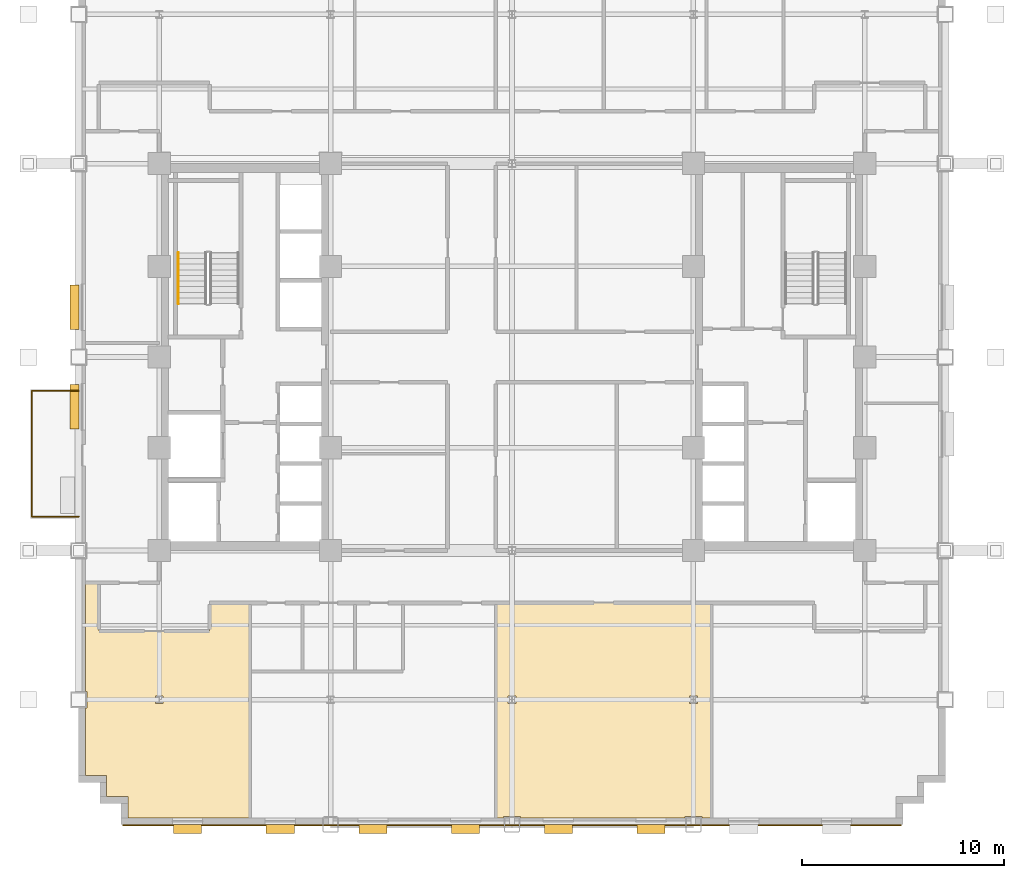
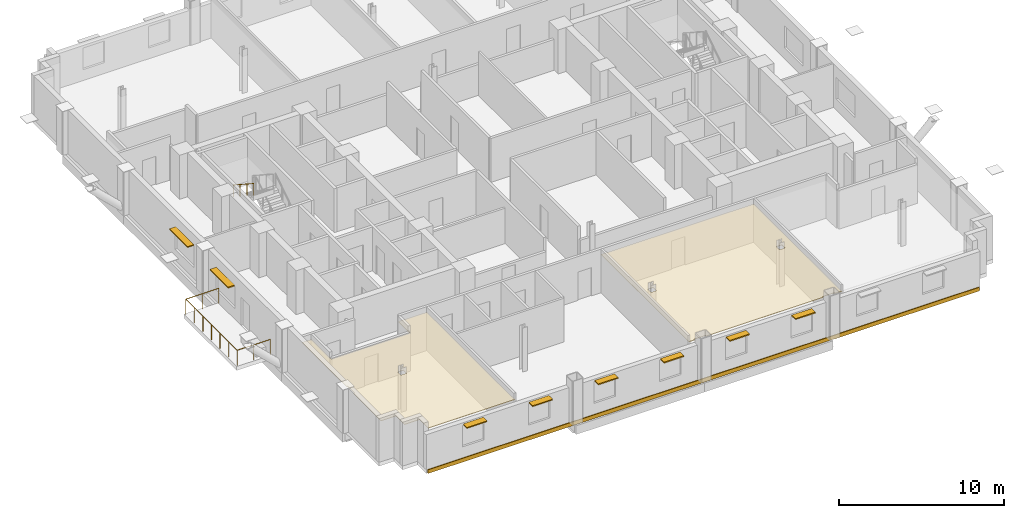
# One storey, part 10 of 13: 8 shading devices, 3 coverings, 2 railings.
"""IFC4 building model written with IfcOpenShell, lengths in metres."""

from ifc_helpers import new_model, si_unit, direction, frame, origin, origin_2d, place, context, subcontext, project, spatial, polyline, rectangle, circle, outline, extrude, source, transform, mapped, material, layer, layer_set, type_object, type_shapes, element, save


model = new_model("IFC4")

# Units and contexts
model_context = context("Model", 3, precision=1e-05, world=origin(), true_north=direction((0.0, 1.0)))
body_context = subcontext(model_context, "Body", "Model", "MODEL_VIEW")
ifc_project = project(units=[si_unit("LENGTHUNIT", "METRE"), si_unit("AREAUNIT", "SQUARE_METRE"), si_unit("VOLUMEUNIT", "CUBIC_METRE"), si_unit("PLANEANGLEUNIT", "RADIAN"), si_unit("MASSUNIT", "GRAM", prefix="KILO")], contexts=[model_context])

# Site, building, storey
site_placement = place(None, origin())
site = spatial("IfcSite", under=ifc_project, at=site_placement, CompositionType="ELEMENT")
building_placement = place(site_placement, origin())
building = spatial("IfcBuilding", under=site, at=building_placement, Name="Nuvemarco Arch Tower", CompositionType="ELEMENT")
storey_placement = place(building_placement, frame((0.0, 0.0, 82.35009765625)))
storey = spatial("IfcBuildingStorey", under=building, at=storey_placement, Name="L21", CompositionType="ELEMENT", Elevation=82.35009765625)

# Coverings
ifc_material_1 = material(Name="Mineral acoustic ceiling tile")
ifc_layer_1 = layer(ifc_material_1, 0.0400390625, Name="COV-ACOUSTIC-CLG")
ifc_layer_set_1 = layer_set([ifc_layer_1], Name="Mineral acoustic ceiling tile")
covering_type_1 = type_object("IfcCoveringType", Name="COV-ACOUSTIC-CLG", PredefinedType="CEILING", material=ifc_layer_set_1)
covering_1_placement = place(storey_placement, frame((0.0, 0.0, 2.72998046875)))
element("IfcCovering", 1, at=covering_1_placement, inside=storey, type_object=covering_type_1, Name="L21 suspended acoustic ceiling 2", PredefinedType="CEILING", context=body_context, shape_type="SweptSolid", body=[
    extrude(outline(polyline([(9.4150390625, -22.860107421875), (9.4150390625, -22.784912109375), (8.5849609375, -22.784912109375), (8.5849609375, -22.860107421875), (0.4150390625, -22.860107421875), (0.4150390625, -22.784912109375), (-0.4150390625, -22.784912109375), (-0.4150390625, -22.860107421875), (-0.800048828125, -22.860107421875), (-0.800048828125, -12.199951171875), (9.89990234375, -12.199951171875), (9.89990234375, -22.860107421875), (9.4150390625, -22.860107421875)]), holes=[polyline([(0.195068359375, -17.195068359375), (0.195068359375, -16.804931640625), (-0.195068359375, -16.804931640625), (-0.195068359375, -17.195068359375), (0.195068359375, -17.195068359375)]), polyline([(9.195068359375, -17.195068359375), (9.195068359375, -16.804931640625), (8.804931640625, -16.804931640625), (8.804931640625, -17.195068359375), (9.195068359375, -17.195068359375)])]), origin(), (0.0, 0.0, 1.0), 0.0400390625),
])
covering_2_placement = place(storey_placement, frame((0.0, 0.0, 2.72998046875)))
element("IfcCovering", 2, at=covering_2_placement, inside=storey, type_object=covering_type_1, Name="L21 suspended acoustic ceiling 4", PredefinedType="CEILING", context=body_context, shape_type="SweptSolid", body=[
    extrude(outline(polyline([(-21.159912109375, -20.760009765625), (-21.159912109375, -17.4150390625), (-21.0849609375, -17.4150390625), (-21.0849609375, -16.5849609375), (-21.159912109375, -16.5849609375), (-21.159912109375, -11.199951171875), (-20.5, -11.199951171875), (-20.5, -13.60009765625), (-15.0, -13.60009765625), (-15.0, -12.199951171875), (-13.0, -12.199951171875), (-13.0, -15.60009765625), (-13.0, -22.860107421875), (-19.06005859375, -22.860107421875), (-19.06005859375, -21.81005859375), (-20.110107421875, -21.81005859375), (-20.110107421875, -20.760009765625), (-21.159912109375, -20.760009765625)]), holes=[polyline([(-17.304931640625, -16.804931640625), (-17.695068359375, -16.804931640625), (-17.695068359375, -17.195068359375), (-17.304931640625, -17.195068359375), (-17.304931640625, -16.804931640625)])]), origin(), (0.0, 0.0, 1.0), 0.0400390625),
])

# Railings
ifc_material_2 = material(Name="Brushed stainless steel handrail", Category="steel")
railing_type_1 = type_object("IfcRailingType", Name="RL-HANDRAIL-900", PredefinedType="HANDRAIL", material=ifc_material_2)
railing_1_placement = place(storey_placement, frame((-16.550048828125, 5.169921875, 2.00732421875)))
element("IfcRailing", 3, at=railing_1_placement, inside=storey, type_object=railing_type_1, Name="L21 ST-1 stair handrail 2", PredefinedType="HANDRAIL", context=body_context, shape_type="SweptSolid", body=[
    extrude(circle(Radius=0.02392578125, at=origin_2d()), frame((0.0, 0.0, 0.8759765625), z_axis=(0.0, -0.837749427056, 0.546054848405), x_axis=(1.0, 0.0, 0.0)), (0.0, 0.0, 1.0), 3.008056640625),
    extrude(circle(Radius=0.02099609375, at=origin_2d()), origin(), (0.0, 0.0, 1.0), 0.851806640625),
    extrude(circle(Radius=0.02099609375, at=origin_2d()), frame((0.0, -0.840087890625, 0.547607421875)), (0.0, 0.0, 1.0), 0.851806640625),
    extrude(circle(Radius=0.02099609375, at=origin_2d()), frame((0.0, -1.679931640625, 1.094970703125)), (0.0, 0.0, 1.0), 0.851806640625),
    extrude(circle(Radius=0.02099609375, at=origin_2d()), frame((0.0, -2.52001953125, 1.642578125)), (0.0, 0.0, 1.0), 0.851806640625),
])
ifc_material_3 = material(Name="Dark anodised balustrade steel S355", Category="steel")
railing_type_2 = type_object("IfcRailingType", Name="RL-TERR-GUARD", PredefinedType="BALUSTRADE", material=ifc_material_3)
railing_2_placement = place(storey_placement, frame((-21.5, -7.919921875, 0.0)))
element("IfcRailing", 4, at=railing_2_placement, inside=storey, type_object=railing_type_2, Name="L21 spiral terrace perimeter balustrade guard", PredefinedType="BALUSTRADE", context=body_context, shape_type="SweptSolid", body=[
    extrude(circle(Radius=0.02392578125, at=origin_2d()), frame((0.0, 0.0, 1.1259765625), z_axis=(-1.0, 0.0, 0.0), x_axis=(0.0, -1.0, 0.0)), (0.0, 0.0, 1.0), 2.320068359375),
    extrude(circle(Radius=0.02392578125, at=origin_2d()), frame((-2.320068359375, 0.0, 1.1259765625), z_axis=(0.0, 1.0, 0.0), x_axis=(-1.0, 0.0, 0.0)), (0.0, 0.0, 1.0), 6.239990234375),
    extrude(circle(Radius=0.02392578125, at=origin_2d()), frame((-2.320068359375, 6.239990234375, 1.1259765625), z_axis=(1.0, 0.0, 0.0), x_axis=(0.0, 1.0, 0.0)), (0.0, 0.0, 1.0), 2.320068359375),
    extrude(circle(Radius=0.02099609375, at=origin_2d()), origin(), (0.0, 0.0, 1.0), 1.101806640625),
    extrude(circle(Radius=0.02099609375, at=origin_2d()), frame((-1.16015625, 0.0, 0.0)), (0.0, 0.0, 1.0), 1.101806640625),
    extrude(circle(Radius=0.02099609375, at=origin_2d()), frame((-2.320068359375, 0.0, 0.0)), (0.0, 0.0, 1.0), 1.101806640625),
    extrude(circle(Radius=0.02099609375, at=origin_2d()), frame((-2.320068359375, 1.0400390625, 0.0)), (0.0, 0.0, 1.0), 1.101806640625),
    extrude(circle(Radius=0.02099609375, at=origin_2d()), frame((-2.320068359375, 2.080078125, 0.0)), (0.0, 0.0, 1.0), 1.101806640625),
    extrude(circle(Radius=0.02099609375, at=origin_2d()), frame((-2.320068359375, 3.1201171875, 0.0)), (0.0, 0.0, 1.0), 1.101806640625),
    extrude(circle(Radius=0.02099609375, at=origin_2d()), frame((-2.320068359375, 4.159912109375, 0.0)), (0.0, 0.0, 1.0), 1.101806640625),
    extrude(circle(Radius=0.02099609375, at=origin_2d()), frame((-2.320068359375, 5.199951171875, 0.0)), (0.0, 0.0, 1.0), 1.101806640625),
    extrude(circle(Radius=0.02099609375, at=origin_2d()), frame((-2.320068359375, 6.239990234375, 0.0)), (0.0, 0.0, 1.0), 1.101806640625),
    extrude(circle(Radius=0.02099609375, at=origin_2d()), frame((-1.16015625, 6.239990234375, 0.0)), (0.0, 0.0, 1.0), 1.101806640625),
    extrude(circle(Radius=0.02099609375, at=origin_2d()), frame((0.0, 6.239990234375, 0.0)), (0.0, 0.0, 1.0), 1.101806640625),
])

# Shading devices
ifc_material_4 = material(Name="Anodised aluminium 6063-T6", Category="aluminium")
shading_device_type_1 = type_object("IfcShadingDeviceType", Name="SHD-BRISE-SOLEIL", PredefinedType="USERDEFINED", material=ifc_material_4)
shared_shape_1 = source(origin(), body_context, "Body", "SweptSolid", [
    extrude(rectangle(XDim=2.199951171875, YDim=0.449951171875, at=origin_2d()), origin(), (0.0, 0.0, 1.0), 0.080078125),
])
type_shapes(shading_device_type_1, [shared_shape_1])
for number, where, z_axis, x_axis, name in (
    (5, (-21.715087890625, -2.470458984375, 2.4248046875), (0.0, 0.0, 1.0), (0.0, 1.0, 0.0), "L21 horizontal brise-soleil sunshade"),
    (6, (-21.715087890625, 2.470458984375, 2.4248046875), (0.0, 0.0, 1.0), (0.0, 1.0, 0.0), "L21 horizontal brise-soleil sunshade"),
):
    element("IfcShadingDevice", number, at=place(storey_placement, frame(where, z_axis=z_axis, x_axis=x_axis)), inside=storey, type_object=shading_device_type_1, Name=name, ObjectType="SUNSHADE", PredefinedType="USERDEFINED", context=body_context, shape_type="MappedRepresentation", body=[
        mapped(shared_shape_1, transform((0.0, 0.0, 0.0), scale=1.0)),
    ])
shading_device_type_2 = type_object("IfcShadingDeviceType", Name="SHD-BRISE-NARROW", PredefinedType="USERDEFINED", material=ifc_material_4)
shared_shape_2 = source(origin(), body_context, "Body", "SweptSolid", [
    extrude(rectangle(XDim=1.39990234375, YDim=0.449951171875, at=origin_2d()), origin(), (0.0, 0.0, 1.0), 0.080078125),
])
type_shapes(shading_device_type_2, [shared_shape_2])
for number, where, z_axis, x_axis, name in (
    (7, (-16.10009765625, -23.4150390625, 2.40478515625), (0.0, 0.0, 1.0), (1.0, 0.0, 0.0), "L21 horizontal brise-soleil sunshade"),
    (8, (-11.5, -23.4150390625, 2.40478515625), (0.0, 0.0, 1.0), (1.0, 0.0, 0.0), "L21 horizontal brise-soleil sunshade"),
    (9, (-6.89990234375, -23.4150390625, 2.40478515625), (0.0, 0.0, 1.0), (1.0, 0.0, 0.0), "L21 horizontal brise-soleil sunshade"),
    (10, (-2.300048828125, -23.4150390625, 2.40478515625), (0.0, 0.0, 1.0), (1.0, 0.0, 0.0), "L21 horizontal brise-soleil sunshade"),
    (11, (2.300048828125, -23.4150390625, 2.40478515625), (0.0, 0.0, 1.0), (1.0, 0.0, 0.0), "L21 horizontal brise-soleil sunshade"),
    (12, (6.89990234375, -23.4150390625, 2.40478515625), (0.0, 0.0, 1.0), (1.0, 0.0, 0.0), "L21 horizontal brise-soleil sunshade"),
):
    element("IfcShadingDevice", number, at=place(storey_placement, frame(where, z_axis=z_axis, x_axis=x_axis)), inside=storey, type_object=shading_device_type_2, Name=name, ObjectType="SUNSHADE", PredefinedType="USERDEFINED", context=body_context, shape_type="MappedRepresentation", body=[
        mapped(shared_shape_2, transform((0.0, 0.0, 0.0), scale=1.0)),
    ])

# Covering
ifc_material_5 = material(Name="Precast concrete C45/55", Category="concrete")
ifc_layer_2 = layer(ifc_material_5, 0.06005859375, Name="COV-SPANDREL-CLAD")
ifc_layer_set_2 = layer_set([ifc_layer_2], Name="Precast concrete C45/55")
covering_type_2 = type_object("IfcCoveringType", Name="COV-SPANDREL-CLAD", PredefinedType="CLADDING", material=ifc_layer_set_2)
shared_shape_3 = source(origin(), body_context, "Body", "SweptSolid", [
    extrude(rectangle(XDim=38.60009765625, YDim=0.06005859375, at=origin_2d()), origin(), (0.0, 0.0, 1.0), 0.280029296875),
])
type_shapes(covering_type_2, [shared_shape_3])
covering_3_placement = place(storey_placement, frame((0.0, -23.22900390625, -0.2802734375), z_axis=(0.0, 0.0, 1.0), x_axis=(1.0, 0.0, 0.0)))
element("IfcCovering", 13, at=covering_3_placement, inside=storey, type_object=covering_type_2, Name="L21 precast spandrel edge cladding south", PredefinedType="CLADDING", context=body_context, shape_type="MappedRepresentation", body=[
    mapped(shared_shape_3, transform((0.0, 0.0, 0.0), scale=1.0)),
])

save(model, "model.ifc")
